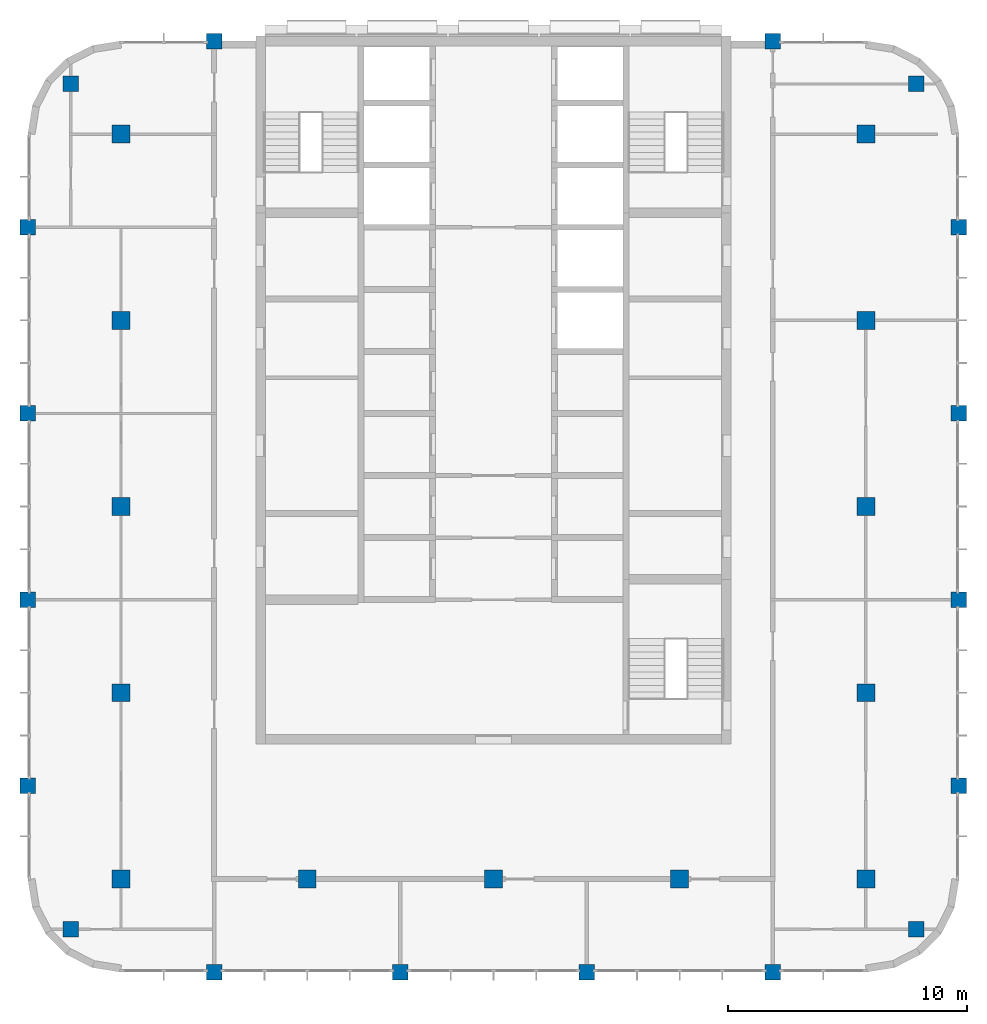
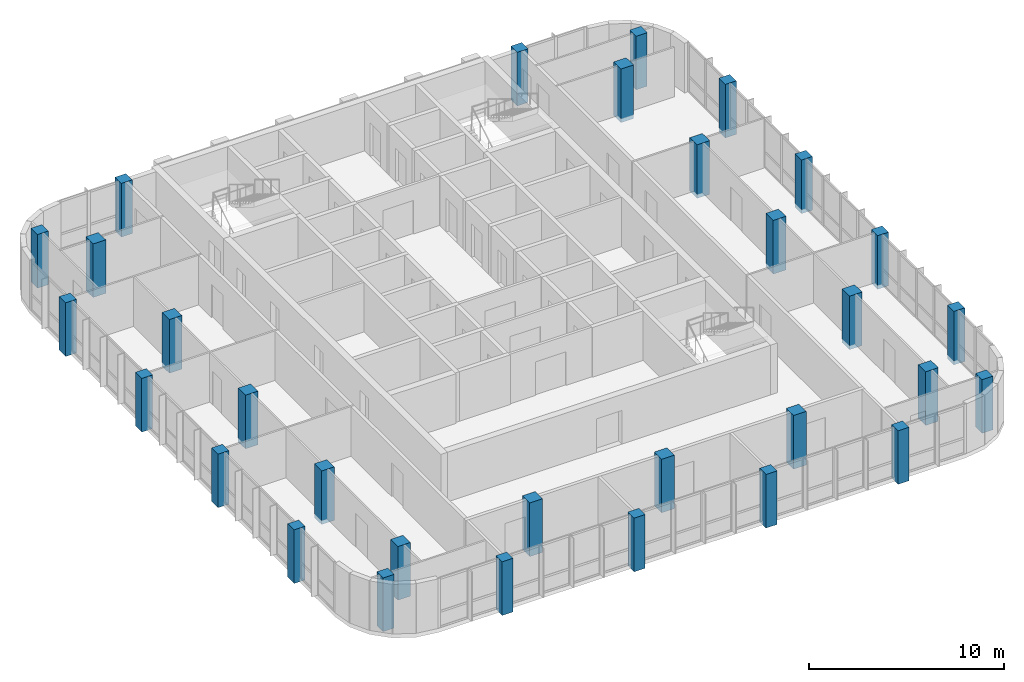
# One storey, part 1 of 17: 31 columns.
"""IFC4 building model written with IfcOpenShell, lengths in metres."""

from ifc_helpers import new_model, si_unit, direction, frame, origin, origin_2d, place, context, subcontext, project, spatial, rectangle, extrude, material, material_profile, profile_set, type_object, element, save


model = new_model("IFC4")

# Units and contexts
model_context = context("Model", 3, precision=1e-05, world=origin(), true_north=direction((0.0, 1.0)))
body_context = subcontext(model_context, "Body", "Model", "MODEL_VIEW")
ifc_project = project(units=[si_unit("LENGTHUNIT", "METRE"), si_unit("AREAUNIT", "SQUARE_METRE"), si_unit("VOLUMEUNIT", "CUBIC_METRE"), si_unit("PLANEANGLEUNIT", "RADIAN"), si_unit("MASSUNIT", "GRAM", prefix="KILO")], contexts=[model_context])

# Site, building, storey
site_placement = place(None, origin())
site = spatial("IfcSite", under=ifc_project, at=site_placement, CompositionType="ELEMENT")
building_placement = place(site_placement, origin())
building = spatial("IfcBuilding", under=site, at=building_placement, Name="Ludao Terraces", CompositionType="ELEMENT")
storey_placement = place(building_placement, frame((0.0, 0.0, 263.0)))
storey = spatial("IfcBuildingStorey", under=building, at=storey_placement, Name="L72", CompositionType="ELEMENT", Elevation=263.0)

# Columns
ifc_material = material(Name="Concrete C40", Category="concrete")
ifc_material_profile_1 = material_profile(ifc_material, rectangle(XDim=0.64990234375, YDim=0.64990234375, at=origin_2d()), Name="650 X 650")
ifc_profile_set_1 = profile_set([ifc_material_profile_1], Name="Concrete C40")
column_type_1 = type_object("IfcColumnType", Name="RC column 650x650 C40", PredefinedType="COLUMN", material=ifc_profile_set_1)
for number, where, z_axis, x_axis, name in (
    (1, (67.300048828125, 47.300048828125, -0.25), (0.0, 0.0, 1.0), (1.0, 0.0, 0.0), "Column L72 C0057x0057"),
    (2, (102.699951171875, 47.300048828125, -0.25), (0.0, 0.0, 1.0), (1.0, 0.0, 0.0), "Column L72 C0411x0057"),
    (3, (67.300048828125, 82.699951171875, -0.25), (0.0, 0.0, 1.0), (1.0, 0.0, 0.0), "Column L72 C0057x0411"),
    (4, (102.699951171875, 82.699951171875, -0.25), (0.0, 0.0, 1.0), (1.0, 0.0, 0.0), "Column L72 C0411x0411"),
    (5, (65.5, 53.300048828125, -0.25), (0.0, 0.0, 1.0), (1.0, 0.0, 0.0), "Column L72 W0039x0117"),
    (6, (104.5, 53.300048828125, -0.25), (0.0, 0.0, 1.0), (1.0, 0.0, 0.0), "Column L72 W0429x0117"),
    (7, (73.300048828125, 45.5, -0.25), (0.0, 0.0, 1.0), (1.0, 0.0, 0.0), "Column L72 W0117x0039"),
    (8, (73.300048828125, 84.5, -0.25), (0.0, 0.0, 1.0), (1.0, 0.0, 0.0), "Column L72 W0117x0429"),
    (9, (65.5, 61.10009765625, -0.25), (0.0, 0.0, 1.0), (1.0, 0.0, 0.0), "Column L72 W0039x0195"),
    (10, (104.5, 61.10009765625, -0.25), (0.0, 0.0, 1.0), (1.0, 0.0, 0.0), "Column L72 W0429x0195"),
    (11, (81.10009765625, 45.5, -0.25), (0.0, 0.0, 1.0), (1.0, 0.0, 0.0), "Column L72 W0195x0039"),
    (12, (65.5, 68.89990234375, -0.25), (0.0, 0.0, 1.0), (1.0, 0.0, 0.0), "Column L72 W0039x0273"),
    (13, (104.5, 68.89990234375, -0.25), (0.0, 0.0, 1.0), (1.0, 0.0, 0.0), "Column L72 W0429x0273"),
    (14, (88.89990234375, 45.5, -0.25), (0.0, 0.0, 1.0), (1.0, 0.0, 0.0), "Column L72 W0273x0039"),
    (15, (65.5, 76.699951171875, -0.25), (0.0, 0.0, 1.0), (1.0, 0.0, 0.0), "Column L72 W0039x0351"),
    (16, (104.5, 76.699951171875, -0.25), (0.0, 0.0, 1.0), (1.0, 0.0, 0.0), "Column L72 W0429x0351"),
    (17, (96.699951171875, 45.5, -0.25), (0.0, 0.0, 1.0), (1.0, 0.0, 0.0), "Column L72 W0351x0039"),
    (18, (96.699951171875, 84.5, -0.25), (0.0, 0.0, 1.0), (1.0, 0.0, 0.0), "Column L72 W0351x0429"),
):
    element("IfcColumn", number, at=place(storey_placement, frame(where, z_axis=z_axis, x_axis=x_axis)), inside=storey, type_object=column_type_1, Name=name, PredefinedType="COLUMN", context=body_context, shape_type="SweptSolid", body=[
        extrude(rectangle(XDim=0.64990234375, YDim=0.64990234375, at=origin_2d()), origin(), (0.0, 0.0, 1.0), 3.35009765625),
    ])
ifc_material_profile_2 = material_profile(ifc_material, rectangle(XDim=0.75, YDim=0.75, at=origin_2d()), Name="750 X 750")
ifc_profile_set_2 = profile_set([ifc_material_profile_2], Name="Concrete C40")
column_type_2 = type_object("IfcColumnType", Name="RC column 750x750 C40", PredefinedType="COLUMN", material=ifc_profile_set_2)
for number, where, z_axis, x_axis, name in (
    (19, (69.39990234375, 49.39990234375, -0.25), (0.0, 0.0, 1.0), (1.0, 0.0, 0.0), "Column L72 S0078x0078"),
    (20, (69.39990234375, 57.199951171875, -0.25), (0.0, 0.0, 1.0), (1.0, 0.0, 0.0), "Column L72 S0078x0156"),
    (21, (69.39990234375, 65.0, -0.25), (0.0, 0.0, 1.0), (1.0, 0.0, 0.0), "Column L72 S0078x0234"),
    (22, (69.39990234375, 72.800048828125, -0.25), (0.0, 0.0, 1.0), (1.0, 0.0, 0.0), "Column L72 S0078x0312"),
    (23, (69.39990234375, 80.60009765625, -0.25), (0.0, 0.0, 1.0), (1.0, 0.0, 0.0), "Column L72 S0078x0390"),
    (24, (77.199951171875, 49.39990234375, -0.25), (0.0, 0.0, 1.0), (1.0, 0.0, 0.0), "Column L72 S0156x0078"),
    (25, (85.0, 49.39990234375, -0.25), (0.0, 0.0, 1.0), (1.0, 0.0, 0.0), "Column L72 S0234x0078"),
    (26, (92.800048828125, 49.39990234375, -0.25), (0.0, 0.0, 1.0), (1.0, 0.0, 0.0), "Column L72 S0312x0078"),
    (27, (100.60009765625, 49.39990234375, -0.25), (0.0, 0.0, 1.0), (1.0, 0.0, 0.0), "Column L72 S0390x0078"),
    (28, (100.60009765625, 57.199951171875, -0.25), (0.0, 0.0, 1.0), (1.0, 0.0, 0.0), "Column L72 S0390x0156"),
    (29, (100.60009765625, 65.0, -0.25), (0.0, 0.0, 1.0), (1.0, 0.0, 0.0), "Column L72 S0390x0234"),
    (30, (100.60009765625, 72.800048828125, -0.25), (0.0, 0.0, 1.0), (1.0, 0.0, 0.0), "Column L72 S0390x0312"),
    (31, (100.60009765625, 80.60009765625, -0.25), (0.0, 0.0, 1.0), (1.0, 0.0, 0.0), "Column L72 S0390x0390"),
):
    element("IfcColumn", number, at=place(storey_placement, frame(where, z_axis=z_axis, x_axis=x_axis)), inside=storey, type_object=column_type_2, Name=name, PredefinedType="COLUMN", context=body_context, shape_type="SweptSolid", body=[
        extrude(rectangle(XDim=0.75, YDim=0.75, at=origin_2d()), origin(), (0.0, 0.0, 1.0), 3.35009765625),
    ])

save(model, "model.ifc")
